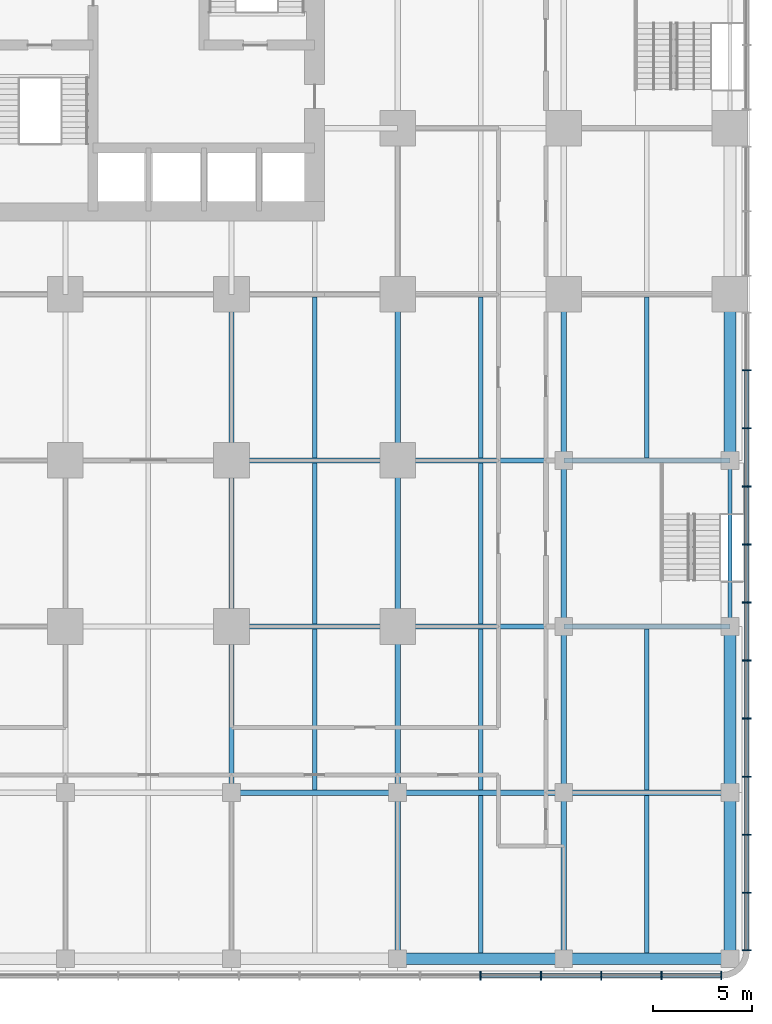
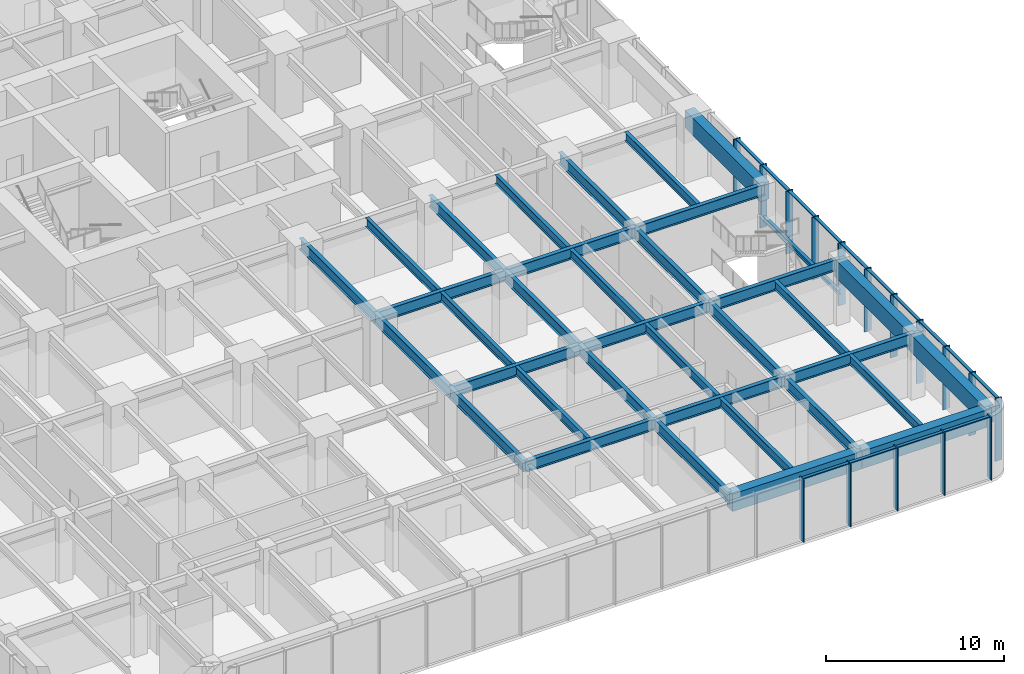
# One storey, part 4 of 19: 36 beams, 30 members, 2 elements without a shape of their own.
"""IFC4 building model written with IfcOpenShell, lengths in metres."""

from ifc_helpers import new_model, si_unit, direction, frame, origin, origin_2d, place, context, subcontext, project, spatial, rectangle, i_section, extrude, material, material_profile, profile_set, type_object, element, aggregate, save


model = new_model("IFC4")

# Units and contexts
model_context = context("Model", 3, precision=1e-05, world=origin(), true_north=direction((0.0, 1.0)))
body_context = subcontext(model_context, "Body", "Model", "MODEL_VIEW")
ifc_project = project(units=[si_unit("LENGTHUNIT", "METRE"), si_unit("AREAUNIT", "SQUARE_METRE"), si_unit("VOLUMEUNIT", "CUBIC_METRE"), si_unit("PLANEANGLEUNIT", "RADIAN"), si_unit("MASSUNIT", "GRAM", prefix="KILO")], contexts=[model_context])

# Site, building, storey
site_placement = place(None, origin())
site = spatial("IfcSite", under=ifc_project, at=site_placement, CompositionType="ELEMENT")
building_placement = place(site_placement, origin())
building = spatial("IfcBuilding", under=site, at=building_placement, Name="Torre Alcanfor", CompositionType="ELEMENT")
storey_placement = place(building_placement, frame((0.0, 0.0, 6.0)))
storey = spatial("IfcBuildingStorey", under=building, at=storey_placement, Name="L01", CompositionType="ELEMENT", Elevation=6.0)

# Curtain wall, members
ifc_material_1 = material(Name="Aluminium and glass", Category="aluminium")
curtain_wall_type = type_object("IfcCurtainWallType", Name="CW-B unitised classroom glazing with vertical FIN", PredefinedType="NOTDEFINED", material=ifc_material_1)
curtain_wall_1_placement = place(storey_placement, origin())
curtain_wall_1 = element("IfcCurtainWall", 1, at=curtain_wall_1_placement, inside=storey, type_object=curtain_wall_type, Name="Curtain wall CW-B L01 1", PredefinedType="NOTDEFINED")
ifc_material_2 = material(Name="Bronze anodised aluminium", Category="aluminium")
ifc_material_profile_1 = material_profile(ifc_material_2, rectangle(XDim=0.449951171875, YDim=0.06494140625, at=origin_2d()), Name="CW-B mullion 65x450")
ifc_profile_set_1 = profile_set([ifc_material_profile_1], Name="Bronze anodised aluminium")
member_type_1 = type_object("IfcMemberType", Name="CW-B mullion with vertical FIN 65x450", PredefinedType="MULLION", material=ifc_profile_set_1)
member_1_placement = place(storey_placement, frame((59.64990234375, -16.367431640625, 0.0), z_axis=(0.0, 0.0, 1.0), x_axis=(-1.0, 0.0, 0.0)))
member_1 = element("IfcMember", 2, at=member_1_placement, type_object=member_type_1, Name="CW-B mullion 1.1", PredefinedType="MULLION", context=body_context, shape_type="SweptSolid", body=[
    extrude(rectangle(XDim=0.449951171875, YDim=0.06494140625, at=origin_2d()), origin(), (0.0, 0.0, 1.0), 4.300048828125),
])
member_2_placement = place(storey_placement, frame((59.64990234375, -13.464111328125, 0.0), z_axis=(0.0, 0.0, 1.0), x_axis=(-1.0, 0.0, 0.0)))
member_2 = element("IfcMember", 3, at=member_2_placement, type_object=member_type_1, Name="CW-B mullion 1.2", PredefinedType="MULLION", context=body_context, shape_type="SweptSolid", body=[
    extrude(rectangle(XDim=0.449951171875, YDim=0.06494140625, at=origin_2d()), origin(), (0.0, 0.0, 1.0), 4.300048828125),
])
member_3_placement = place(storey_placement, frame((59.64990234375, -10.528076171875, 0.0), z_axis=(0.0, 0.0, 1.0), x_axis=(-1.0, 0.0, 0.0)))
member_3 = element("IfcMember", 4, at=member_3_placement, type_object=member_type_1, Name="CW-B mullion 1.3", PredefinedType="MULLION", context=body_context, shape_type="SweptSolid", body=[
    extrude(rectangle(XDim=0.449951171875, YDim=0.06494140625, at=origin_2d()), origin(), (0.0, 0.0, 1.0), 4.300048828125),
])
member_4_placement = place(storey_placement, frame((59.64990234375, -7.59228515625, 0.0), z_axis=(0.0, 0.0, 1.0), x_axis=(-1.0, 0.0, 0.0)))
member_4 = element("IfcMember", 5, at=member_4_placement, type_object=member_type_1, Name="CW-B mullion 1.4", PredefinedType="MULLION", context=body_context, shape_type="SweptSolid", body=[
    extrude(rectangle(XDim=0.449951171875, YDim=0.06494140625, at=origin_2d()), origin(), (0.0, 0.0, 1.0), 4.300048828125),
])
member_5_placement = place(storey_placement, frame((59.64990234375, -4.65625, 0.0), z_axis=(0.0, 0.0, 1.0), x_axis=(-1.0, 0.0, 0.0)))
member_5 = element("IfcMember", 6, at=member_5_placement, type_object=member_type_1, Name="CW-B mullion 1.5", PredefinedType="MULLION", context=body_context, shape_type="SweptSolid", body=[
    extrude(rectangle(XDim=0.449951171875, YDim=0.06494140625, at=origin_2d()), origin(), (0.0, 0.0, 1.0), 4.300048828125),
])
member_6_placement = place(storey_placement, frame((59.64990234375, -1.720458984375, 0.0), z_axis=(0.0, 0.0, 1.0), x_axis=(-1.0, 0.0, 0.0)))
member_6 = element("IfcMember", 7, at=member_6_placement, type_object=member_type_1, Name="CW-B mullion 1.6", PredefinedType="MULLION", context=body_context, shape_type="SweptSolid", body=[
    extrude(rectangle(XDim=0.449951171875, YDim=0.06494140625, at=origin_2d()), origin(), (0.0, 0.0, 1.0), 4.300048828125),
])
member_7_placement = place(storey_placement, frame((59.64990234375, 1.215576171875, 0.0), z_axis=(0.0, 0.0, 1.0), x_axis=(-1.0, 0.0, 0.0)))
member_7 = element("IfcMember", 8, at=member_7_placement, type_object=member_type_1, Name="CW-B mullion 1.7", PredefinedType="MULLION", context=body_context, shape_type="SweptSolid", body=[
    extrude(rectangle(XDim=0.449951171875, YDim=0.06494140625, at=origin_2d()), origin(), (0.0, 0.0, 1.0), 4.300048828125),
])
member_8_placement = place(storey_placement, frame((59.64990234375, 4.1513671875, 0.0), z_axis=(0.0, 0.0, 1.0), x_axis=(-1.0, 0.0, 0.0)))
member_8 = element("IfcMember", 9, at=member_8_placement, type_object=member_type_1, Name="CW-B mullion 1.8", PredefinedType="MULLION", context=body_context, shape_type="SweptSolid", body=[
    extrude(rectangle(XDim=0.449951171875, YDim=0.06494140625, at=origin_2d()), origin(), (0.0, 0.0, 1.0), 4.300048828125),
])
member_9_placement = place(storey_placement, frame((59.64990234375, 7.087158203125, 0.0), z_axis=(0.0, 0.0, 1.0), x_axis=(-1.0, 0.0, 0.0)))
member_9 = element("IfcMember", 10, at=member_9_placement, type_object=member_type_1, Name="CW-B mullion 1.9", PredefinedType="MULLION", context=body_context, shape_type="SweptSolid", body=[
    extrude(rectangle(XDim=0.449951171875, YDim=0.06494140625, at=origin_2d()), origin(), (0.0, 0.0, 1.0), 4.300048828125),
])
member_10_placement = place(storey_placement, frame((59.64990234375, 10.023193359375, 0.0), z_axis=(0.0, 0.0, 1.0), x_axis=(-1.0, 0.0, 0.0)))
member_10 = element("IfcMember", 11, at=member_10_placement, type_object=member_type_1, Name="CW-B mullion 1.10", PredefinedType="MULLION", context=body_context, shape_type="SweptSolid", body=[
    extrude(rectangle(XDim=0.449951171875, YDim=0.06494140625, at=origin_2d()), origin(), (0.0, 0.0, 1.0), 4.300048828125),
])
member_11_placement = place(storey_placement, frame((59.64990234375, 12.958984375, 0.0), z_axis=(0.0, 0.0, 1.0), x_axis=(-1.0, 0.0, 0.0)))
member_11 = element("IfcMember", 12, at=member_11_placement, type_object=member_type_1, Name="CW-B mullion 1.11", PredefinedType="MULLION", context=body_context, shape_type="SweptSolid", body=[
    extrude(rectangle(XDim=0.449951171875, YDim=0.06494140625, at=origin_2d()), origin(), (0.0, 0.0, 1.0), 4.300048828125),
])

curtain_wall_2_placement = place(storey_placement, origin())
curtain_wall_2 = element("IfcCurtainWall", 13, at=curtain_wall_2_placement, inside=storey, type_object=curtain_wall_type, Name="Curtain wall CW-B L01 4", PredefinedType="NOTDEFINED")
member_12_placement = place(storey_placement, frame((46.189453125, -17.64990234375, 0.0), z_axis=(0.0, 0.0, 1.0), x_axis=(0.0, 1.0, 0.0)))
member_12 = element("IfcMember", 14, at=member_12_placement, type_object=member_type_1, Name="CW-B mullion 16", PredefinedType="MULLION", context=body_context, shape_type="SweptSolid", body=[
    extrude(rectangle(XDim=0.449951171875, YDim=0.06494140625, at=origin_2d()), origin(), (0.0, 0.0, 1.0), 4.300048828125),
])
member_13_placement = place(storey_placement, frame((49.2421875, -17.64990234375, 0.0), z_axis=(0.0, 0.0, 1.0), x_axis=(0.0, 1.0, 0.0)))
member_13 = element("IfcMember", 15, at=member_13_placement, type_object=member_type_1, Name="CW-B mullion 17", PredefinedType="MULLION", context=body_context, shape_type="SweptSolid", body=[
    extrude(rectangle(XDim=0.449951171875, YDim=0.06494140625, at=origin_2d()), origin(), (0.0, 0.0, 1.0), 4.300048828125),
])
member_14_placement = place(storey_placement, frame((52.294677734375, -17.64990234375, 0.0), z_axis=(0.0, 0.0, 1.0), x_axis=(0.0, 1.0, 0.0)))
member_14 = element("IfcMember", 16, at=member_14_placement, type_object=member_type_1, Name="CW-B mullion 18", PredefinedType="MULLION", context=body_context, shape_type="SweptSolid", body=[
    extrude(rectangle(XDim=0.449951171875, YDim=0.06494140625, at=origin_2d()), origin(), (0.0, 0.0, 1.0), 4.300048828125),
])
member_15_placement = place(storey_placement, frame((55.347412109375, -17.64990234375, 0.0), z_axis=(0.0, 0.0, 1.0), x_axis=(0.0, 1.0, 0.0)))
member_15 = element("IfcMember", 17, at=member_15_placement, type_object=member_type_1, Name="CW-B mullion 19", PredefinedType="MULLION", context=body_context, shape_type="SweptSolid", body=[
    extrude(rectangle(XDim=0.449951171875, YDim=0.06494140625, at=origin_2d()), origin(), (0.0, 0.0, 1.0), 4.300048828125),
])
member_16_placement = place(storey_placement, frame((58.367431640625, -17.64990234375, 0.0), z_axis=(0.0, 0.0, 1.0), x_axis=(0.0, 1.0, 0.0)))
member_16 = element("IfcMember", 18, at=member_16_placement, type_object=member_type_1, Name="CW-B mullion 20", PredefinedType="MULLION", context=body_context, shape_type="SweptSolid", body=[
    extrude(rectangle(XDim=0.449951171875, YDim=0.06494140625, at=origin_2d()), origin(), (0.0, 0.0, 1.0), 4.300048828125),
])

# Member
ifc_material_3 = material(Name="Extruded aluminium", Category="aluminium")
ifc_material_profile_2 = material_profile(ifc_material_3, rectangle(XDim=0.199951171875, YDim=0.06494140625, at=origin_2d()), Name="CW-B transom 200x65")
ifc_profile_set_2 = profile_set([ifc_material_profile_2], Name="Extruded aluminium")
member_type_2 = type_object("IfcMemberType", Name="CW-B transom 65x200", PredefinedType="USERDEFINED", material=ifc_profile_set_2)
member_17_placement = place(storey_placement, frame((59.64990234375, -16.3349609375, 4.267578125), z_axis=(0.0, 1.0, 0.0), x_axis=(-1.0, 0.0, 0.0)))
member_17 = element("IfcMember", 19, at=member_17_placement, type_object=member_type_2, Name="CW-B transom 1.1.2", ObjectType="TRANSOM", PredefinedType="USERDEFINED", context=body_context, shape_type="SweptSolid", body=[
    extrude(rectangle(XDim=0.199951171875, YDim=0.06494140625, at=origin_2d()), origin(), (0.0, 0.0, 1.0), 2.83837890625),
])

member_18_placement = place(storey_placement, frame((59.64990234375, -13.431640625, 4.267578125), z_axis=(0.0, 1.0, 0.0), x_axis=(-1.0, 0.0, 0.0)))
member_18 = element("IfcMember", 20, at=member_18_placement, type_object=member_type_2, Name="CW-B transom 1.2.2", ObjectType="TRANSOM", PredefinedType="USERDEFINED", context=body_context, shape_type="SweptSolid", body=[
    extrude(rectangle(XDim=0.199951171875, YDim=0.06494140625, at=origin_2d()), origin(), (0.0, 0.0, 1.0), 2.870849609375),
])

member_19_placement = place(storey_placement, frame((59.64990234375, -10.49560546875, 4.267578125), z_axis=(0.0, 1.0, 0.0), x_axis=(-1.0, 0.0, 0.0)))
member_19 = element("IfcMember", 21, at=member_19_placement, type_object=member_type_2, Name="CW-B transom 1.3.2", ObjectType="TRANSOM", PredefinedType="USERDEFINED", context=body_context, shape_type="SweptSolid", body=[
    extrude(rectangle(XDim=0.199951171875, YDim=0.06494140625, at=origin_2d()), origin(), (0.0, 0.0, 1.0), 2.870849609375),
])

member_20_placement = place(storey_placement, frame((59.64990234375, -7.559814453125, 4.267578125), z_axis=(0.0, 1.0, 0.0), x_axis=(-1.0, 0.0, 0.0)))
member_20 = element("IfcMember", 22, at=member_20_placement, type_object=member_type_2, Name="CW-B transom 1.4.2", ObjectType="TRANSOM", PredefinedType="USERDEFINED", context=body_context, shape_type="SweptSolid", body=[
    extrude(rectangle(XDim=0.199951171875, YDim=0.06494140625, at=origin_2d()), origin(), (0.0, 0.0, 1.0), 2.870849609375),
])

member_21_placement = place(storey_placement, frame((59.64990234375, -4.623779296875, 4.267578125), z_axis=(0.0, 1.0, 0.0), x_axis=(-1.0, 0.0, 0.0)))
member_21 = element("IfcMember", 23, at=member_21_placement, type_object=member_type_2, Name="CW-B transom 1.5.2", ObjectType="TRANSOM", PredefinedType="USERDEFINED", context=body_context, shape_type="SweptSolid", body=[
    extrude(rectangle(XDim=0.199951171875, YDim=0.06494140625, at=origin_2d()), origin(), (0.0, 0.0, 1.0), 2.870849609375),
])

member_22_placement = place(storey_placement, frame((59.64990234375, -1.68798828125, 4.267578125), z_axis=(0.0, 1.0, 0.0), x_axis=(-1.0, 0.0, 0.0)))
member_22 = element("IfcMember", 24, at=member_22_placement, type_object=member_type_2, Name="CW-B transom 1.6.2", ObjectType="TRANSOM", PredefinedType="USERDEFINED", context=body_context, shape_type="SweptSolid", body=[
    extrude(rectangle(XDim=0.199951171875, YDim=0.06494140625, at=origin_2d()), origin(), (0.0, 0.0, 1.0), 2.870849609375),
])

member_23_placement = place(storey_placement, frame((59.64990234375, 1.248046875, 4.267578125), z_axis=(0.0, 1.0, 0.0), x_axis=(-1.0, 0.0, 0.0)))
member_23 = element("IfcMember", 25, at=member_23_placement, type_object=member_type_2, Name="CW-B transom 1.7.2", ObjectType="TRANSOM", PredefinedType="USERDEFINED", context=body_context, shape_type="SweptSolid", body=[
    extrude(rectangle(XDim=0.199951171875, YDim=0.06494140625, at=origin_2d()), origin(), (0.0, 0.0, 1.0), 2.870849609375),
])

member_24_placement = place(storey_placement, frame((59.64990234375, 4.183837890625, 4.267578125), z_axis=(0.0, 1.0, 0.0), x_axis=(-1.0, 0.0, 0.0)))
member_24 = element("IfcMember", 26, at=member_24_placement, type_object=member_type_2, Name="CW-B transom 1.8.2", ObjectType="TRANSOM", PredefinedType="USERDEFINED", context=body_context, shape_type="SweptSolid", body=[
    extrude(rectangle(XDim=0.199951171875, YDim=0.06494140625, at=origin_2d()), origin(), (0.0, 0.0, 1.0), 2.870849609375),
])

member_25_placement = place(storey_placement, frame((59.64990234375, 7.119873046875, 4.267578125), z_axis=(0.0, 1.0, 0.0), x_axis=(-1.0, 0.0, 0.0)))
member_25 = element("IfcMember", 27, at=member_25_placement, type_object=member_type_2, Name="CW-B transom 1.9.2", ObjectType="TRANSOM", PredefinedType="USERDEFINED", context=body_context, shape_type="SweptSolid", body=[
    extrude(rectangle(XDim=0.199951171875, YDim=0.06494140625, at=origin_2d()), origin(), (0.0, 0.0, 1.0), 2.870849609375),
])

member_26_placement = place(storey_placement, frame((59.64990234375, 10.0556640625, 4.267578125), z_axis=(0.0, 1.0, 0.0), x_axis=(-1.0, 0.0, 0.0)))
member_26 = element("IfcMember", 28, at=member_26_placement, type_object=member_type_2, Name="CW-B transom 1.10.2", ObjectType="TRANSOM", PredefinedType="USERDEFINED", context=body_context, shape_type="SweptSolid", body=[
    extrude(rectangle(XDim=0.199951171875, YDim=0.06494140625, at=origin_2d()), origin(), (0.0, 0.0, 1.0), 2.870849609375),
])

aggregate(curtain_wall_1, [member_1, member_2, member_3, member_4, member_5, member_6, member_7, member_8, member_9, member_10, member_11, member_17, member_18, member_19, member_20, member_21, member_22, member_23, member_24, member_25, member_26])

member_27_placement = place(storey_placement, frame((46.221923828125, -17.64990234375, 4.267578125), z_axis=(1.0, 0.0, 0.0), x_axis=(0.0, 1.0, 0.0)))
member_27 = element("IfcMember", 29, at=member_27_placement, type_object=member_type_2, Name="CW-B transom 16.2", ObjectType="TRANSOM", PredefinedType="USERDEFINED", context=body_context, shape_type="SweptSolid", body=[
    extrude(rectangle(XDim=0.199951171875, YDim=0.06494140625, at=origin_2d()), origin(), (0.0, 0.0, 1.0), 2.98779296875),
])

member_28_placement = place(storey_placement, frame((49.274658203125, -17.64990234375, 4.267578125), z_axis=(1.0, 0.0, 0.0), x_axis=(0.0, 1.0, 0.0)))
member_28 = element("IfcMember", 30, at=member_28_placement, type_object=member_type_2, Name="CW-B transom 17.2", ObjectType="TRANSOM", PredefinedType="USERDEFINED", context=body_context, shape_type="SweptSolid", body=[
    extrude(rectangle(XDim=0.199951171875, YDim=0.06494140625, at=origin_2d()), origin(), (0.0, 0.0, 1.0), 2.987548828125),
])

member_29_placement = place(storey_placement, frame((52.3271484375, -17.64990234375, 4.267578125), z_axis=(1.0, 0.0, 0.0), x_axis=(0.0, 1.0, 0.0)))
member_29 = element("IfcMember", 31, at=member_29_placement, type_object=member_type_2, Name="CW-B transom 18.2", ObjectType="TRANSOM", PredefinedType="USERDEFINED", context=body_context, shape_type="SweptSolid", body=[
    extrude(rectangle(XDim=0.199951171875, YDim=0.06494140625, at=origin_2d()), origin(), (0.0, 0.0, 1.0), 2.98779296875),
])

member_30_placement = place(storey_placement, frame((55.3798828125, -17.64990234375, 4.267578125), z_axis=(1.0, 0.0, 0.0), x_axis=(0.0, 1.0, 0.0)))
member_30 = element("IfcMember", 32, at=member_30_placement, type_object=member_type_2, Name="CW-B transom 19.2", ObjectType="TRANSOM", PredefinedType="USERDEFINED", context=body_context, shape_type="SweptSolid", body=[
    extrude(rectangle(XDim=0.199951171875, YDim=0.06494140625, at=origin_2d()), origin(), (0.0, 0.0, 1.0), 2.955078125),
])

aggregate(curtain_wall_2, [member_12, member_13, member_14, member_15, member_16, member_27, member_28, member_29, member_30])

# Beams
ifc_material_4 = material(Name="Steel ASTM A992 Grade 50", Category="steel")
ifc_material_profile_3 = material_profile(ifc_material_4, i_section(OverallWidth=0.2666015625, OverallDepth=0.7568359375, WebThickness=0.013916015625, FlangeThickness=0.019287109375, at=origin_2d()), Name="W30x108")
ifc_profile_set_3 = profile_set([ifc_material_profile_3], Name="Steel ASTM A992 Grade 50")
beam_type_1 = type_object("IfcBeamType", Name="Girder W30x108", PredefinedType="BEAM", material=ifc_profile_set_3)
for number, where, z_axis, x_axis, name in (
    (33, (33.60009765625, -8.39990234375, 3.921630859375), (1.0, 0.0, 0.0), (0.0, 1.0, 0.0), "Beam 5B-6B under L02"),
    (34, (42.0, -8.39990234375, 3.921630859375), (1.0, 0.0, 0.0), (0.0, 1.0, 0.0), "Beam 6B-7B under L02"),
):
    element("IfcBeam", number, at=place(storey_placement, frame(where, z_axis=z_axis, x_axis=x_axis)), inside=storey, type_object=beam_type_1, Name=name, PredefinedType="BEAM", context=body_context, shape_type="SweptSolid", body=[
        extrude(i_section(OverallWidth=0.2666015625, OverallDepth=0.7568359375, WebThickness=0.013916015625, FlangeThickness=0.019287109375, at=origin_2d()), origin(), (0.0, 0.0, 1.0), 8.39990234375),
    ])
beam_1_placement = place(storey_placement, frame((50.39990234375, -8.39990234375, 3.921630859375), z_axis=(1.0, 0.0, 0.0), x_axis=(0.0, 1.0, 0.0)))
element("IfcBeam", 35, at=beam_1_placement, inside=storey, type_object=beam_type_1, Name="Beam 7B-8B under L02", PredefinedType="BEAM", context=body_context, shape_type="SweptSolid", body=[
    extrude(i_section(OverallWidth=0.2666015625, OverallDepth=0.7568359375, WebThickness=0.013916015625, FlangeThickness=0.019287109375, at=origin_2d()), origin(), (0.0, 0.0, 1.0), 8.400146484375),
])
for number, where, z_axis, x_axis, name in (
    (36, (33.60009765625, 0.0, 3.921630859375), (1.0, 0.0, 0.0), (0.0, 1.0, 0.0), "Beam 5C-6C under L02"),
    (37, (42.0, 0.0, 3.921630859375), (1.0, 0.0, 0.0), (0.0, 1.0, 0.0), "Beam 6C-7C under L02"),
):
    element("IfcBeam", number, at=place(storey_placement, frame(where, z_axis=z_axis, x_axis=x_axis)), inside=storey, type_object=beam_type_1, Name=name, PredefinedType="BEAM", context=body_context, shape_type="SweptSolid", body=[
        extrude(i_section(OverallWidth=0.2666015625, OverallDepth=0.7568359375, WebThickness=0.013916015625, FlangeThickness=0.019287109375, at=origin_2d()), origin(), (0.0, 0.0, 1.0), 8.39990234375),
    ])
beam_2_placement = place(storey_placement, frame((50.39990234375, 0.0, 3.921630859375), z_axis=(1.0, 0.0, 0.0), x_axis=(0.0, 1.0, 0.0)))
element("IfcBeam", 38, at=beam_2_placement, inside=storey, type_object=beam_type_1, Name="Beam 7C-8C under L02", PredefinedType="BEAM", context=body_context, shape_type="SweptSolid", body=[
    extrude(i_section(OverallWidth=0.2666015625, OverallDepth=0.7568359375, WebThickness=0.013916015625, FlangeThickness=0.019287109375, at=origin_2d()), origin(), (0.0, 0.0, 1.0), 8.400146484375),
])
for number, where, z_axis, x_axis, name in (
    (39, (33.60009765625, 8.39990234375, 3.921630859375), (1.0, 0.0, 0.0), (0.0, 1.0, 0.0), "Beam 5D-6D under L02"),
    (40, (42.0, 8.39990234375, 3.921630859375), (1.0, 0.0, 0.0), (0.0, 1.0, 0.0), "Beam 6D-7D under L02"),
):
    element("IfcBeam", number, at=place(storey_placement, frame(where, z_axis=z_axis, x_axis=x_axis)), inside=storey, type_object=beam_type_1, Name=name, PredefinedType="BEAM", context=body_context, shape_type="SweptSolid", body=[
        extrude(i_section(OverallWidth=0.2666015625, OverallDepth=0.7568359375, WebThickness=0.013916015625, FlangeThickness=0.019287109375, at=origin_2d()), origin(), (0.0, 0.0, 1.0), 8.39990234375),
    ])
beam_3_placement = place(storey_placement, frame((50.39990234375, 8.39990234375, 3.921630859375), z_axis=(1.0, 0.0, 0.0), x_axis=(0.0, 1.0, 0.0)))
element("IfcBeam", 41, at=beam_3_placement, inside=storey, type_object=beam_type_1, Name="Beam 7D-8D under L02", PredefinedType="BEAM", context=body_context, shape_type="SweptSolid", body=[
    extrude(i_section(OverallWidth=0.2666015625, OverallDepth=0.7568359375, WebThickness=0.013916015625, FlangeThickness=0.019287109375, at=origin_2d()), origin(), (0.0, 0.0, 1.0), 8.400146484375),
])
for number, where, z_axis, x_axis, name in (
    (42, (33.60009765625, -8.39990234375, 3.921630859375), (0.0, 1.0, 0.0), (-1.0, 0.0, 0.0), "Beam 5B-5C under L02"),
    (43, (33.60009765625, 0.0, 3.921630859375), (0.0, 1.0, 0.0), (-1.0, 0.0, 0.0), "Beam 5C-5D under L02"),
):
    element("IfcBeam", number, at=place(storey_placement, frame(where, z_axis=z_axis, x_axis=x_axis)), inside=storey, type_object=beam_type_1, Name=name, PredefinedType="BEAM", context=body_context, shape_type="SweptSolid", body=[
        extrude(i_section(OverallWidth=0.2666015625, OverallDepth=0.7568359375, WebThickness=0.013916015625, FlangeThickness=0.019287109375, at=origin_2d()), origin(), (0.0, 0.0, 1.0), 8.39990234375),
    ])
for number, where, z_axis, x_axis, name in (
    (44, (33.60009765625, 8.39990234375, 3.921630859375), (0.0, 1.0, 0.0), (-1.0, 0.0, 0.0), "Beam 5D-5E under L02"),
    (45, (42.0, -16.800048828125, 3.921630859375), (0.0, 1.0, 0.0), (-1.0, 0.0, 0.0), "Beam 6A-6B under L02"),
):
    element("IfcBeam", number, at=place(storey_placement, frame(where, z_axis=z_axis, x_axis=x_axis)), inside=storey, type_object=beam_type_1, Name=name, PredefinedType="BEAM", context=body_context, shape_type="SweptSolid", body=[
        extrude(i_section(OverallWidth=0.2666015625, OverallDepth=0.7568359375, WebThickness=0.013916015625, FlangeThickness=0.019287109375, at=origin_2d()), origin(), (0.0, 0.0, 1.0), 8.400146484375),
    ])
for number, where, z_axis, x_axis, name in (
    (46, (42.0, -8.39990234375, 3.921630859375), (0.0, 1.0, 0.0), (-1.0, 0.0, 0.0), "Beam 6B-6C under L02"),
    (47, (42.0, 0.0, 3.921630859375), (0.0, 1.0, 0.0), (-1.0, 0.0, 0.0), "Beam 6C-6D under L02"),
):
    element("IfcBeam", number, at=place(storey_placement, frame(where, z_axis=z_axis, x_axis=x_axis)), inside=storey, type_object=beam_type_1, Name=name, PredefinedType="BEAM", context=body_context, shape_type="SweptSolid", body=[
        extrude(i_section(OverallWidth=0.2666015625, OverallDepth=0.7568359375, WebThickness=0.013916015625, FlangeThickness=0.019287109375, at=origin_2d()), origin(), (0.0, 0.0, 1.0), 8.39990234375),
    ])
for number, where, z_axis, x_axis, name in (
    (48, (42.0, 8.39990234375, 3.921630859375), (0.0, 1.0, 0.0), (-1.0, 0.0, 0.0), "Beam 6D-6E under L02"),
    (49, (50.39990234375, -16.800048828125, 3.921630859375), (0.0, 1.0, 0.0), (-1.0, 0.0, 0.0), "Beam 7A-7B under L02"),
):
    element("IfcBeam", number, at=place(storey_placement, frame(where, z_axis=z_axis, x_axis=x_axis)), inside=storey, type_object=beam_type_1, Name=name, PredefinedType="BEAM", context=body_context, shape_type="SweptSolid", body=[
        extrude(i_section(OverallWidth=0.2666015625, OverallDepth=0.7568359375, WebThickness=0.013916015625, FlangeThickness=0.019287109375, at=origin_2d()), origin(), (0.0, 0.0, 1.0), 8.400146484375),
    ])
for number, where, z_axis, x_axis, name in (
    (50, (50.39990234375, -8.39990234375, 3.921630859375), (0.0, 1.0, 0.0), (-1.0, 0.0, 0.0), "Beam 7B-7C under L02"),
    (51, (50.39990234375, 0.0, 3.921630859375), (0.0, 1.0, 0.0), (-1.0, 0.0, 0.0), "Beam 7C-7D under L02"),
):
    element("IfcBeam", number, at=place(storey_placement, frame(where, z_axis=z_axis, x_axis=x_axis)), inside=storey, type_object=beam_type_1, Name=name, PredefinedType="BEAM", context=body_context, shape_type="SweptSolid", body=[
        extrude(i_section(OverallWidth=0.2666015625, OverallDepth=0.7568359375, WebThickness=0.013916015625, FlangeThickness=0.019287109375, at=origin_2d()), origin(), (0.0, 0.0, 1.0), 8.39990234375),
    ])
beam_4_placement = place(storey_placement, frame((50.39990234375, 8.39990234375, 3.921630859375), z_axis=(0.0, 1.0, 0.0), x_axis=(-1.0, 0.0, 0.0)))
element("IfcBeam", 52, at=beam_4_placement, inside=storey, type_object=beam_type_1, Name="Beam 7D-7E under L02", PredefinedType="BEAM", context=body_context, shape_type="SweptSolid", body=[
    extrude(i_section(OverallWidth=0.2666015625, OverallDepth=0.7568359375, WebThickness=0.013916015625, FlangeThickness=0.019287109375, at=origin_2d()), origin(), (0.0, 0.0, 1.0), 8.400146484375),
])
ifc_material_5 = material(Name="Concrete f'c 70 MPa", Category="concrete")
ifc_material_profile_4 = material_profile(ifc_material_5, rectangle(XDim=0.60009765625, YDim=1.199951171875, at=origin_2d()), Name="600x1200")
ifc_profile_set_4 = profile_set([ifc_material_profile_4], Name="Concrete f'c 70 MPa")
beam_type_2 = type_object("IfcBeamType", Name="RC perimeter beam 600x1200", PredefinedType="BEAM", material=ifc_profile_set_4)
beam_5_placement = place(storey_placement, frame((42.0, -16.800048828125, 3.699951171875), z_axis=(1.0, 0.0, 0.0), x_axis=(0.0, 1.0, 0.0)))
element("IfcBeam", 53, at=beam_5_placement, inside=storey, type_object=beam_type_2, Name="Beam 6A-7A under L02", PredefinedType="BEAM", context=body_context, shape_type="SweptSolid", body=[
    extrude(rectangle(XDim=0.60009765625, YDim=1.199951171875, at=origin_2d()), origin(), (0.0, 0.0, 1.0), 8.39990234375),
])
for number, where, z_axis, x_axis, name in (
    (54, (50.39990234375, -16.800048828125, 3.699951171875), (1.0, 0.0, 0.0), (0.0, 1.0, 0.0), "Beam 7A-8A under L02"),
    (55, (58.800048828125, -16.800048828125, 3.699951171875), (0.0, 1.0, 0.0), (-1.0, 0.0, 0.0), "Beam 8A-8B under L02"),
):
    element("IfcBeam", number, at=place(storey_placement, frame(where, z_axis=z_axis, x_axis=x_axis)), inside=storey, type_object=beam_type_2, Name=name, PredefinedType="BEAM", context=body_context, shape_type="SweptSolid", body=[
        extrude(rectangle(XDim=0.60009765625, YDim=1.199951171875, at=origin_2d()), origin(), (0.0, 0.0, 1.0), 8.400146484375),
    ])
beam_6_placement = place(storey_placement, frame((58.800048828125, -8.39990234375, 3.699951171875), z_axis=(0.0, 1.0, 0.0), x_axis=(-1.0, 0.0, 0.0)))
element("IfcBeam", 56, at=beam_6_placement, inside=storey, type_object=beam_type_2, Name="Beam 8B-8C under L02", PredefinedType="BEAM", context=body_context, shape_type="SweptSolid", body=[
    extrude(rectangle(XDim=0.60009765625, YDim=1.199951171875, at=origin_2d()), origin(), (0.0, 0.0, 1.0), 8.39990234375),
])
beam_7_placement = place(storey_placement, frame((58.800048828125, 8.39990234375, 3.699951171875), z_axis=(0.0, 1.0, 0.0), x_axis=(-1.0, 0.0, 0.0)))
element("IfcBeam", 57, at=beam_7_placement, inside=storey, type_object=beam_type_2, Name="Beam 8D-8E under L02", PredefinedType="BEAM", context=body_context, shape_type="SweptSolid", body=[
    extrude(rectangle(XDim=0.60009765625, YDim=1.199951171875, at=origin_2d()), origin(), (0.0, 0.0, 1.0), 8.400146484375),
])
ifc_material_6 = material(Name="Steel ASTM A992 Grade 50", Category="steel")
ifc_material_profile_5 = material_profile(ifc_material_6, i_section(OverallWidth=0.203369140625, OverallDepth=0.30224609375, WebThickness=0.007568359375, FlangeThickness=0.01318359375, at=origin_2d()), Name="W12x40")
ifc_profile_set_5 = profile_set([ifc_material_profile_5], Name="Steel ASTM A992 Grade 50")
beam_type_3 = type_object("IfcBeamType", Name="School stair landing beam W12x40", PredefinedType="BEAM", material=ifc_profile_set_5)
beam_8_placement = place(storey_placement, frame((58.800048828125, 0.0, 1.89892578125), z_axis=(0.0, 1.0, 0.0), x_axis=(-1.0, 0.0, 0.0)))
element("IfcBeam", 58, at=beam_8_placement, inside=storey, type_object=beam_type_3, Name="Landing beam SS3 L01", PredefinedType="BEAM", context=body_context, shape_type="SweptSolid", body=[
    extrude(i_section(OverallWidth=0.203369140625, OverallDepth=0.30224609375, WebThickness=0.007568359375, FlangeThickness=0.01318359375, at=origin_2d()), origin(), (0.0, 0.0, 1.0), 8.39990234375),
])
ifc_material_7 = material(Name="Steel ASTM A992 Grade 50", Category="steel")
ifc_material_profile_6 = material_profile(ifc_material_7, i_section(OverallWidth=0.22900390625, OverallDepth=0.612060546875, WebThickness=0.011962890625, FlangeThickness=0.01953125, at=origin_2d()), Name="W24x84")
ifc_profile_set_6 = profile_set([ifc_material_profile_6], Name="Steel ASTM A992 Grade 50")
beam_type_4 = type_object("IfcBeamType", Name="Secondary beam W24x84", PredefinedType="BEAM", material=ifc_profile_set_6)
for number, where, z_axis, x_axis, name in (
    (59, (37.800048828125, -8.26708984375, 3.993896484375), (0.0, 1.0, 0.0), (-1.0, 0.0, 0.0), "Beam 37_8B-37_8C under L02"),
    (60, (37.800048828125, 0.133056640625, 3.993896484375), (0.0, 1.0, 0.0), (-1.0, 0.0, 0.0), "Beam 37_8C-37_8D under L02"),
    (61, (37.800048828125, 8.532958984375, 3.993896484375), (0.0, 1.0, 0.0), (-1.0, 0.0, 0.0), "Beam 37_8D-37_8E under L02"),
):
    element("IfcBeam", number, at=place(storey_placement, frame(where, z_axis=z_axis, x_axis=x_axis)), inside=storey, type_object=beam_type_4, Name=name, PredefinedType="BEAM", context=body_context, shape_type="SweptSolid", body=[
        extrude(i_section(OverallWidth=0.22900390625, OverallDepth=0.612060546875, WebThickness=0.011962890625, FlangeThickness=0.01953125, at=origin_2d()), origin(), (0.0, 0.0, 1.0), 8.134033203125),
    ])
beam_9_placement = place(storey_placement, frame((46.199951171875, -16.5, 3.993896484375), z_axis=(0.0, 1.0, 0.0), x_axis=(-1.0, 0.0, 0.0)))
element("IfcBeam", 62, at=beam_9_placement, inside=storey, type_object=beam_type_4, Name="Beam 46_2A-46_2B under L02", PredefinedType="BEAM", context=body_context, shape_type="SweptSolid", body=[
    extrude(i_section(OverallWidth=0.22900390625, OverallDepth=0.612060546875, WebThickness=0.011962890625, FlangeThickness=0.01953125, at=origin_2d()), origin(), (0.0, 0.0, 1.0), 7.967041015625),
])
for number, where, z_axis, x_axis, name in (
    (63, (46.199951171875, -8.26708984375, 3.993896484375), (0.0, 1.0, 0.0), (-1.0, 0.0, 0.0), "Beam 46_2B-46_2C under L02"),
    (64, (46.199951171875, 0.133056640625, 3.993896484375), (0.0, 1.0, 0.0), (-1.0, 0.0, 0.0), "Beam 46_2C-46_2D under L02"),
    (65, (46.199951171875, 8.532958984375, 3.993896484375), (0.0, 1.0, 0.0), (-1.0, 0.0, 0.0), "Beam 46_2D-46_2E under L02"),
):
    element("IfcBeam", number, at=place(storey_placement, frame(where, z_axis=z_axis, x_axis=x_axis)), inside=storey, type_object=beam_type_4, Name=name, PredefinedType="BEAM", context=body_context, shape_type="SweptSolid", body=[
        extrude(i_section(OverallWidth=0.22900390625, OverallDepth=0.612060546875, WebThickness=0.011962890625, FlangeThickness=0.01953125, at=origin_2d()), origin(), (0.0, 0.0, 1.0), 8.134033203125),
    ])
beam_10_placement = place(storey_placement, frame((54.60009765625, -16.5, 3.993896484375), z_axis=(0.0, 1.0, 0.0), x_axis=(-1.0, 0.0, 0.0)))
element("IfcBeam", 66, at=beam_10_placement, inside=storey, type_object=beam_type_4, Name="Beam 54_6A-54_6B under L02", PredefinedType="BEAM", context=body_context, shape_type="SweptSolid", body=[
    extrude(i_section(OverallWidth=0.22900390625, OverallDepth=0.612060546875, WebThickness=0.011962890625, FlangeThickness=0.01953125, at=origin_2d()), origin(), (0.0, 0.0, 1.0), 7.967041015625),
])
for number, where, z_axis, x_axis, name in (
    (67, (54.60009765625, -8.26708984375, 3.993896484375), (0.0, 1.0, 0.0), (-1.0, 0.0, 0.0), "Beam 54_6B-54_6C under L02"),
    (68, (54.60009765625, 8.532958984375, 3.993896484375), (0.0, 1.0, 0.0), (-1.0, 0.0, 0.0), "Beam 54_6D-54_6E under L02"),
):
    element("IfcBeam", number, at=place(storey_placement, frame(where, z_axis=z_axis, x_axis=x_axis)), inside=storey, type_object=beam_type_4, Name=name, PredefinedType="BEAM", context=body_context, shape_type="SweptSolid", body=[
        extrude(i_section(OverallWidth=0.22900390625, OverallDepth=0.612060546875, WebThickness=0.011962890625, FlangeThickness=0.01953125, at=origin_2d()), origin(), (0.0, 0.0, 1.0), 8.134033203125),
    ])

save(model, "model.ifc")
